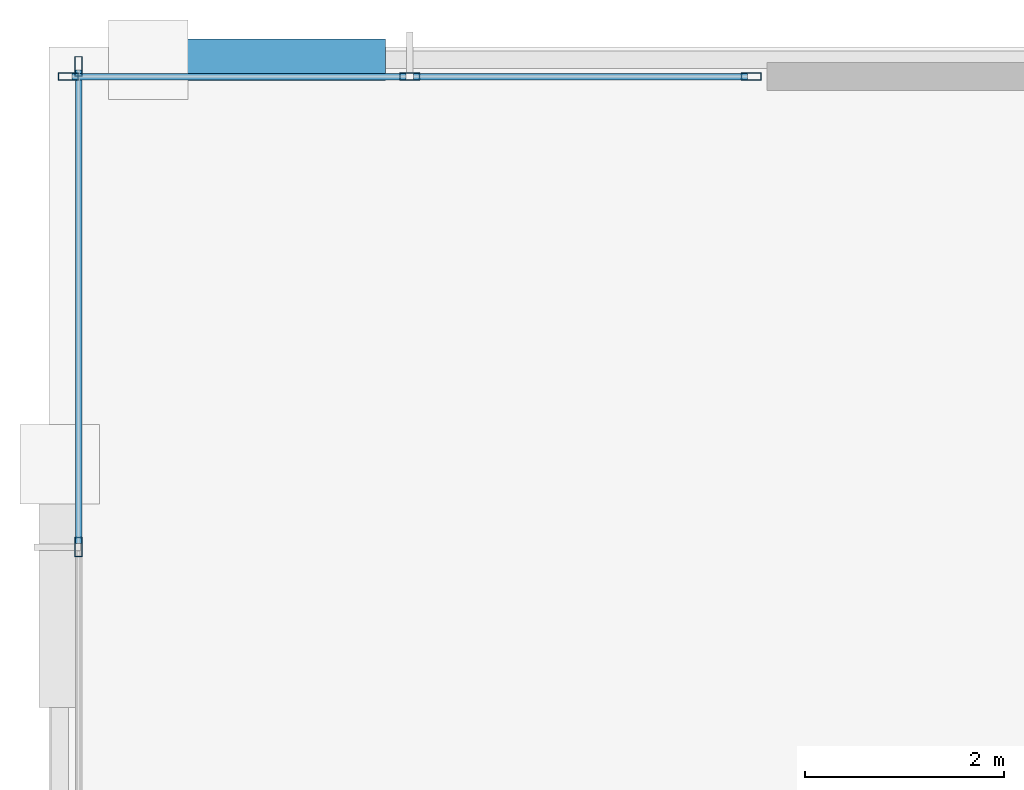
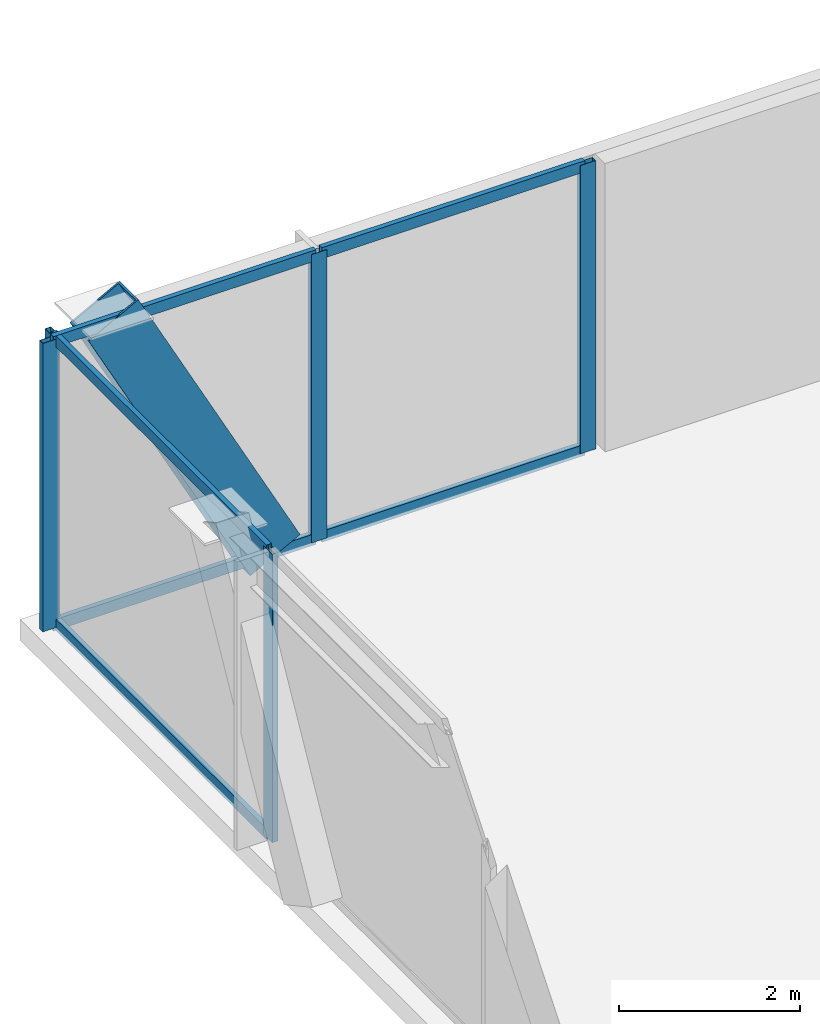
# One storey, part 26 of 46: 12 members, 2 elements without a shape of their own.
"""IFC4 building model written with IfcOpenShell, lengths in metres."""

from ifc_helpers import new_model, si_unit, direction, frame, origin, origin_2d, place, context, subcontext, project, spatial, hollow_rectangle, extrude, material, layer, layer_set, material_profile, profile_set, type_object, element, aggregate, save


model = new_model("IFC4")

# Units and contexts
model_context = context("Model", 3, precision=1e-05, world=origin(), true_north=direction((0.0, 1.0)))
body_context = subcontext(model_context, "Body", "Model", "MODEL_VIEW")
ifc_project = project(units=[si_unit("LENGTHUNIT", "METRE"), si_unit("AREAUNIT", "SQUARE_METRE"), si_unit("VOLUMEUNIT", "CUBIC_METRE"), si_unit("PLANEANGLEUNIT", "RADIAN"), si_unit("MASSUNIT", "GRAM", prefix="KILO")], contexts=[model_context])

# Site, building, storey
site_placement = place(None, origin())
site = spatial("IfcSite", under=ifc_project, at=site_placement, CompositionType="ELEMENT")
building_placement = place(site_placement, origin())
building = spatial("IfcBuilding", under=site, at=building_placement, Name="Orvanel Arch Residences", CompositionType="ELEMENT")
storey_placement = place(building_placement, frame((0.0, 0.0, 14.10009765625)))
storey = spatial("IfcBuildingStorey", under=building, at=storey_placement, Name="L03", CompositionType="ELEMENT", Elevation=14.10009765625)

# Member
ifc_material_1 = material(Name="Structural steel AS/NZS 3678 Grade 350", Category="steel")
ifc_material_profile_1 = material_profile(ifc_material_1, hollow_rectangle(XDim=0.419921875, YDim=0.719970703125, WallThickness=0.02490234375, at=origin_2d()), Name="RHS720x420x25")
ifc_profile_set_1 = profile_set([ifc_material_profile_1], Name="Structural steel AS/NZS 3678 Grade 350")
member_type_1 = type_object("IfcMemberType", Name="BR-720RHS-EXT", PredefinedType="BRACE", material=ifc_profile_set_1)
member_1_placement = place(storey_placement, frame((4.319091796875, 54.419921875, 0.0), z_axis=(-0.468672654972, 0.0, 0.883371916285), x_axis=(0.0, -1.0, 0.0)))
element("IfcMember", 1, at=member_1_placement, inside=storey, type_object=member_type_1, Name="L03 Podium Multi-Storey V-Strut Pair N1 Leg 1", PredefinedType="BRACE", context=body_context, shape_type="SweptSolid", body=[
    extrude(hollow_rectangle(XDim=0.419921875, YDim=0.719970703125, WallThickness=0.02490234375, at=origin_2d()), origin(), (0.0, 0.0, 1.0), 4.414794921875),
])

# Curtain wall, members
ifc_material_2 = material(Name="Bronze-anodised aluminium AA6063-T6", Category="aluminium")
ifc_layer = layer(ifc_material_2, 0.199951171875)
ifc_layer_set = layer_set([ifc_layer], Name="Bronze-anodised aluminium AA6063-T6")
curtain_wall_type = type_object("IfcCurtainWallType", Name="CW1-POD-SYS", PredefinedType="NOTDEFINED", material=ifc_layer_set)
curtain_wall_1_placement = place(storey_placement, origin())
curtain_wall_1 = element("IfcCurtainWall", 2, at=curtain_wall_1_placement, inside=storey, type_object=curtain_wall_type, Name="L03 CW1-POD-SYS Unitised Curtain Wall", PredefinedType="NOTDEFINED")
ifc_material_profile_2 = material_profile(ifc_material_2, hollow_rectangle(XDim=0.074951171875, YDim=0.199951171875, WallThickness=0.0048828125, at=origin_2d()), Name="ALU200x75x5")
ifc_profile_set_2 = profile_set([ifc_material_profile_2], Name="Bronze-anodised aluminium AA6063-T6")
member_type_2 = type_object("IfcMemberType", Name="MUL-200x75", PredefinedType="MULLION", material=ifc_profile_set_2)
member_2_placement = place(storey_placement, frame((8.322509765625, 54.25, 0.0), z_axis=(0.0, 0.0, 1.0), x_axis=(0.0, -1.0, 0.0)))
member_2 = element("IfcMember", 3, at=member_2_placement, type_object=member_type_2, Name="CW-S1 mullion 1", PredefinedType="MULLION", context=body_context, shape_type="SweptSolid", body=[
    extrude(hollow_rectangle(XDim=0.074951171875, YDim=0.199951171875, WallThickness=0.0048828125, at=origin_2d()), origin(), (0.0, 0.0, 1.0), 3.89990234375),
])
member_3_placement = place(storey_placement, frame((4.885009765625, 54.25, 0.0), z_axis=(0.0, 0.0, 1.0), x_axis=(0.0, -1.0, 0.0)))
member_3 = element("IfcMember", 4, at=member_3_placement, type_object=member_type_2, Name="CW-S1 mullion 2", PredefinedType="MULLION", context=body_context, shape_type="SweptSolid", body=[
    extrude(hollow_rectangle(XDim=0.074951171875, YDim=0.199951171875, WallThickness=0.0048828125, at=origin_2d()), origin(), (0.0, 0.0, 1.0), 3.89990234375),
])
member_4_placement = place(storey_placement, frame((1.447509765625, 54.25, 0.0), z_axis=(0.0, 0.0, 1.0), x_axis=(0.0, -1.0, 0.0)))
member_4 = element("IfcMember", 5, at=member_4_placement, type_object=member_type_2, Name="CW-S1 mullion 3", PredefinedType="MULLION", context=body_context, shape_type="SweptSolid", body=[
    extrude(hollow_rectangle(XDim=0.074951171875, YDim=0.199951171875, WallThickness=0.0048828125, at=origin_2d()), origin(), (0.0, 0.0, 1.0), 3.89990234375),
])

curtain_wall_2_placement = place(storey_placement, origin())
curtain_wall_2 = element("IfcCurtainWall", 6, at=curtain_wall_2_placement, inside=storey, type_object=curtain_wall_type, Name="L03 CW1-POD-SYS Unitised Curtain Wall", PredefinedType="NOTDEFINED")
member_5_placement = place(storey_placement, frame((1.550048828125, 54.3525390625, 0.0), z_axis=(0.0, 0.0, 1.0), x_axis=(1.0, 0.0, 0.0)))
member_5 = element("IfcMember", 7, at=member_5_placement, type_object=member_type_2, Name="CW-S1 mullion 1", PredefinedType="MULLION", context=body_context, shape_type="SweptSolid", body=[
    extrude(hollow_rectangle(XDim=0.074951171875, YDim=0.199951171875, WallThickness=0.0048828125, at=origin_2d()), origin(), (0.0, 0.0, 1.0), 3.89990234375),
])
member_6_placement = place(storey_placement, frame((1.550048828125, 49.514892578125, 0.0), z_axis=(0.0, 0.0, 1.0), x_axis=(1.0, 0.0, 0.0)))
member_6 = element("IfcMember", 8, at=member_6_placement, type_object=member_type_2, Name="CW-S1 mullion 2", PredefinedType="MULLION", context=body_context, shape_type="SweptSolid", body=[
    extrude(hollow_rectangle(XDim=0.074951171875, YDim=0.199951171875, WallThickness=0.0048828125, at=origin_2d()), origin(), (0.0, 0.0, 1.0), 3.89990234375),
])

# Member
ifc_material_profile_3 = material_profile(ifc_material_2, hollow_rectangle(XDim=0.06494140625, YDim=0.14990234375, WallThickness=0.00390625, at=origin_2d()), Name="ALU150x65x4")
ifc_profile_set_3 = profile_set([ifc_material_profile_3], Name="Bronze-anodised aluminium AA6063-T6")
member_type_3 = type_object("IfcMemberType", Name="TRN-150x65", PredefinedType="USERDEFINED", material=ifc_profile_set_3)
member_7_placement = place(storey_placement, frame((8.284912109375, 54.25, 0.032470703125), z_axis=(-1.0, 0.0, 0.0), x_axis=(0.0, -1.0, 0.0)))
member_7 = element("IfcMember", 9, at=member_7_placement, type_object=member_type_3, Name="CW-S1 transom 1.1", ObjectType="TRANSOM", PredefinedType="USERDEFINED", context=body_context, shape_type="SweptSolid", body=[
    extrude(hollow_rectangle(XDim=0.06494140625, YDim=0.14990234375, WallThickness=0.00390625, at=origin_2d()), origin(), (0.0, 0.0, 1.0), 3.3623046875),
])

member_8_placement = place(storey_placement, frame((8.284912109375, 54.25, 3.867431640625), z_axis=(-1.0, 0.0, 0.0), x_axis=(0.0, -1.0, 0.0)))
member_8 = element("IfcMember", 10, at=member_8_placement, type_object=member_type_3, Name="CW-S1 transom 1.2", ObjectType="TRANSOM", PredefinedType="USERDEFINED", context=body_context, shape_type="SweptSolid", body=[
    extrude(hollow_rectangle(XDim=0.06494140625, YDim=0.14990234375, WallThickness=0.00390625, at=origin_2d()), origin(), (0.0, 0.0, 1.0), 3.3623046875),
])

member_9_placement = place(storey_placement, frame((4.847412109375, 54.25, 0.032470703125), z_axis=(-1.0, 0.0, 0.0), x_axis=(0.0, -1.0, 0.0)))
member_9 = element("IfcMember", 11, at=member_9_placement, type_object=member_type_3, Name="CW-S1 transom 2.1", ObjectType="TRANSOM", PredefinedType="USERDEFINED", context=body_context, shape_type="SweptSolid", body=[
    extrude(hollow_rectangle(XDim=0.06494140625, YDim=0.14990234375, WallThickness=0.00390625, at=origin_2d()), origin(), (0.0, 0.0, 1.0), 3.3623046875),
])

member_10_placement = place(storey_placement, frame((4.847412109375, 54.25, 3.867431640625), z_axis=(-1.0, 0.0, 0.0), x_axis=(0.0, -1.0, 0.0)))
member_10 = element("IfcMember", 12, at=member_10_placement, type_object=member_type_3, Name="CW-S1 transom 2.2", ObjectType="TRANSOM", PredefinedType="USERDEFINED", context=body_context, shape_type="SweptSolid", body=[
    extrude(hollow_rectangle(XDim=0.06494140625, YDim=0.14990234375, WallThickness=0.00390625, at=origin_2d()), origin(), (0.0, 0.0, 1.0), 3.3623046875),
])

aggregate(curtain_wall_1, [member_2, member_3, member_4, member_7, member_8, member_9, member_10])

member_11_placement = place(storey_placement, frame((1.550048828125, 54.31494140625, 0.032470703125), z_axis=(0.0, -1.0, 0.0), x_axis=(1.0, 0.0, 0.0)))
member_11 = element("IfcMember", 13, at=member_11_placement, type_object=member_type_3, Name="CW-S1 transom 1.1", ObjectType="TRANSOM", PredefinedType="USERDEFINED", context=body_context, shape_type="SweptSolid", body=[
    extrude(hollow_rectangle(XDim=0.06494140625, YDim=0.14990234375, WallThickness=0.00390625, at=origin_2d()), origin(), (0.0, 0.0, 1.0), 4.762451171875),
])

member_12_placement = place(storey_placement, frame((1.550048828125, 54.31494140625, 3.867431640625), z_axis=(0.0, -1.0, 0.0), x_axis=(1.0, 0.0, 0.0)))
member_12 = element("IfcMember", 14, at=member_12_placement, type_object=member_type_3, Name="CW-S1 transom 1.2", ObjectType="TRANSOM", PredefinedType="USERDEFINED", context=body_context, shape_type="SweptSolid", body=[
    extrude(hollow_rectangle(XDim=0.06494140625, YDim=0.14990234375, WallThickness=0.00390625, at=origin_2d()), origin(), (0.0, 0.0, 1.0), 4.762451171875),
])

aggregate(curtain_wall_2, [member_5, member_6, member_11, member_12])

save(model, "model.ifc")
